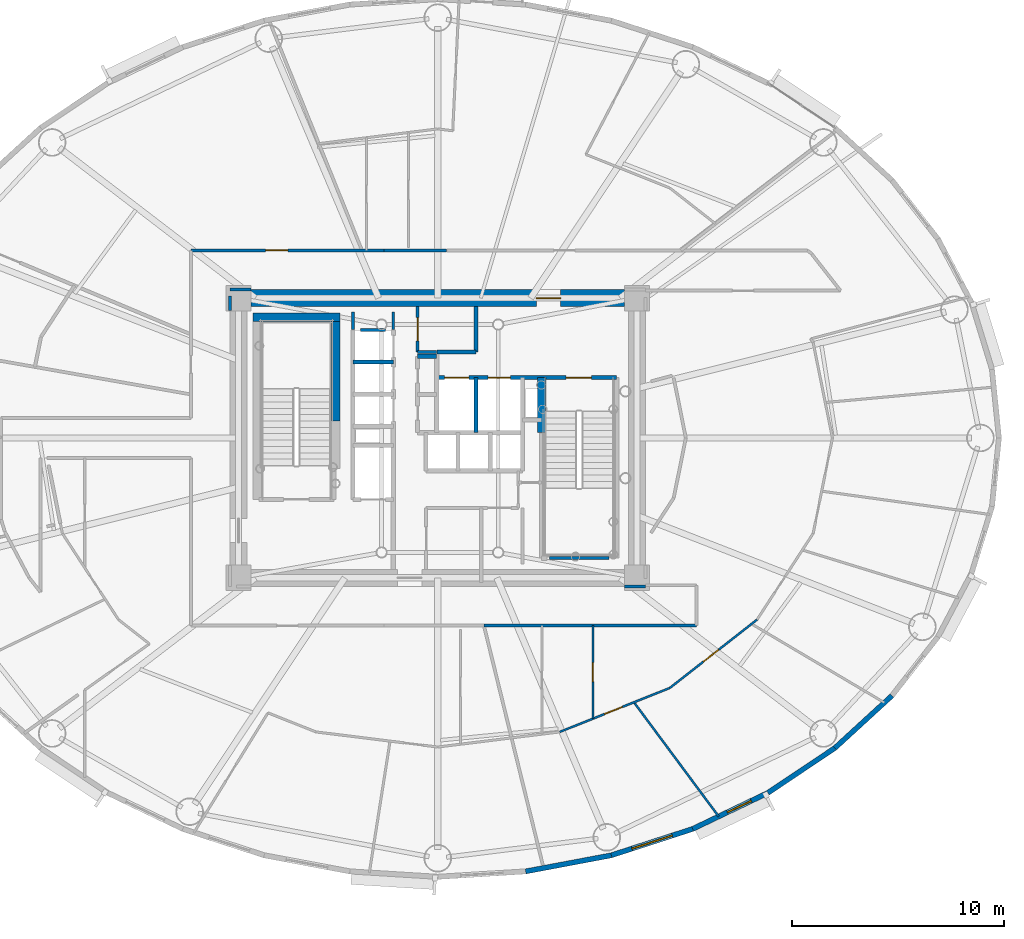
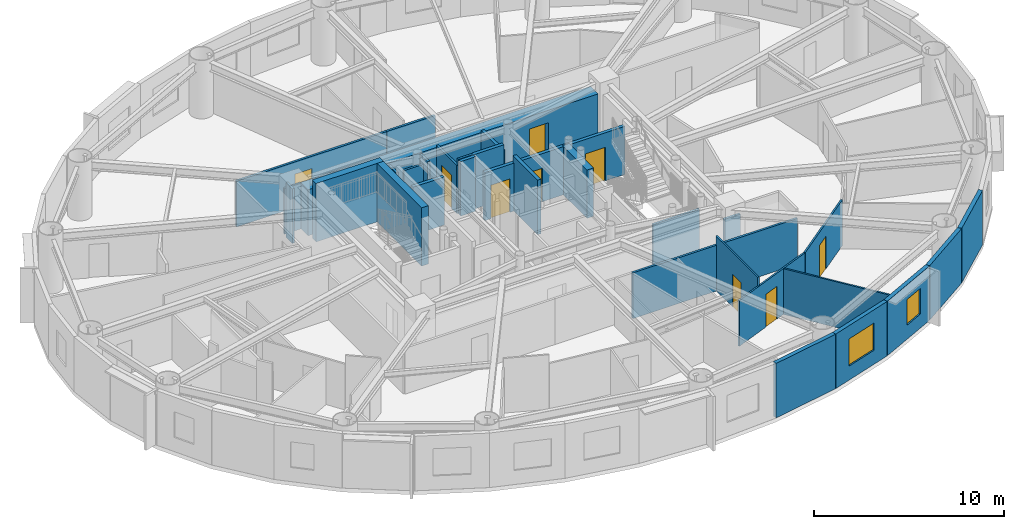
# One storey, part 9 of 18: 31 walls, 9 doors, 2 windows, 11 openings.
"""IFC4 building model written with IfcOpenShell, lengths in metres."""

from ifc_helpers import new_model, si_unit, direction, frame, frame_2d, origin, origin_2d, place, context, subcontext, project, spatial, rectangle, extrude, source, transform, mapped, material, layer, layer_set, type_object, element, fill, save


model = new_model("IFC4")

# Units and contexts
model_context = context("Model", 3, precision=1e-05, world=origin(), true_north=direction((0.0, 1.0)))
body_context = subcontext(model_context, "Body", "Model", "MODEL_VIEW")
ifc_project = project(units=[si_unit("LENGTHUNIT", "METRE"), si_unit("AREAUNIT", "SQUARE_METRE"), si_unit("VOLUMEUNIT", "CUBIC_METRE"), si_unit("PLANEANGLEUNIT", "RADIAN"), si_unit("MASSUNIT", "GRAM", prefix="KILO")], contexts=[model_context])

# Site, building, storey
site_placement = place(None, origin())
site = spatial("IfcSite", under=ifc_project, at=site_placement, CompositionType="ELEMENT")
building_placement = place(site_placement, origin())
building = spatial("IfcBuilding", under=site, at=building_placement, Name="Linh Dai School and Residence Tower", CompositionType="ELEMENT")
storey_placement = place(building_placement, frame((0.0, 0.0, 186.14990234375)))
storey = spatial("IfcBuildingStorey", under=building, at=storey_placement, Name="L45", CompositionType="ELEMENT", Elevation=186.14990234375)

# Wall
ifc_material_1 = material(Name="Precast Concrete B45 (C35/45)", Category="concrete")
ifc_layer_1 = layer(ifc_material_1, 0.239990234375)
ifc_layer_set_1 = layer_set([ifc_layer_1], Name="Precast Concrete B45 (C35/45)")
wall_type_1 = type_object("IfcWallType", Name="EW-TC-240", PredefinedType="SOLIDWALL", material=ifc_layer_set_1)
wall_1_placement = place(storey_placement, frame((44.18896484375, 7.310546875, 0.0), z_axis=(0.0, 0.0, 1.0), x_axis=(-0.982788108205, -0.184736391573, 0.0)))
element("IfcWall", 1, at=wall_1_placement, inside=storey, type_object=wall_type_1, Name="L45 Terracotta Exterior Wall 32", PredefinedType="SOLIDWALL", context=body_context, shape_type="SweptSolid", body=[
    extrude(rectangle(XDim=4.114013671875, YDim=0.239990234375, at=frame_2d((2.05712890625, 0.0))), origin(), (0.0, 0.0, 1.0), 3.5),
])

# Wall, opening, window
wall_2_placement = place(storey_placement, frame((48.02978515625, 8.556396484375, 0.0), z_axis=(0.0, 0.0, 1.0), x_axis=(-0.951209870236, -0.30854462038, 0.0)))
wall_2 = element("IfcWall", 2, at=wall_2_placement, inside=storey, type_object=wall_type_1, Name="L45 Terracotta Exterior Wall 33", PredefinedType="SOLIDWALL", context=body_context, shape_type="SweptSolid", body=[
    extrude(rectangle(XDim=4.037841796875, YDim=0.239990234375, at=frame_2d((2.01904296875, 0.0))), origin(), (0.0, 0.0, 1.0), 3.5),
])
opening_1_placement = place(wall_2_placement, frame((1.01904296875, 0.0, 0.89990234375)))
opening_1 = element("IfcOpeningElement", 3, at=opening_1_placement, cuts=wall_2, Name="Opening W1", PredefinedType="OPENING", context=body_context, shape_type="SweptSolid", body=[
    extrude(rectangle(XDim=2.0, YDim=1.75, at=origin_2d()), frame((1.0, 0.1298828125, 0.875), z_axis=(0.0, -1.0, 0.0), x_axis=(1.0, 0.0, 0.0)), (0.0, 0.0, 1.0), 0.260009765625),
])
ifc_material_2 = material(Name="Double Low-E Insulated Glazing", Category="glass")
window_type_1 = type_object("IfcWindowType", Name="WN-RES-2000x1750", PartitioningType="DOUBLE_PANEL_VERTICAL", PredefinedType="WINDOW", material=ifc_material_2)
shared_shape_1 = source(origin(), body_context, "Body", "SweptSolid", [
    extrude(rectangle(XDim=2.0, YDim=1.75, at=origin_2d()), frame((1.0, 0.030029296875, 0.875), z_axis=(0.0, -1.0, 0.0), x_axis=(1.0, 0.0, 0.0)), (0.0, 0.0, 1.0), 0.06005859375),
])
window_1_placement = place(opening_1_placement, origin())
window_1 = element("IfcWindow", 4, at=window_1_placement, inside=storey, type_object=window_type_1, Name="L45 Exterior Window 33.1", OverallHeight=1.75, OverallWidth=2.0, PartitioningType="DOUBLE_PANEL_VERTICAL", PredefinedType="WINDOW", context=body_context, shape_type="MappedRepresentation", body=[
    mapped(shared_shape_1, transform((0.0, 0.0, 0.0), x_axis=(1.0, 0.0, 0.0), y_axis=(0.0, 1.0, 0.0), z_axis=(0.0, 0.0, 1.0), scale=1.0)),
])
fill(opening_1, window_1)

wall_3_placement = place(storey_placement, frame((51.5732421875, 10.2568359375, 0.0), z_axis=(0.0, 0.0, 1.0), x_axis=(-0.901564733809, -0.432644231155, 0.0)))
wall_3 = element("IfcWall", 5, at=wall_3_placement, inside=storey, type_object=wall_type_1, Name="L45 Terracotta Exterior Wall 34", PredefinedType="SOLIDWALL", context=body_context, shape_type="SweptSolid", body=[
    extrude(rectangle(XDim=3.930419921875, YDim=0.239990234375, at=frame_2d((1.96533203125, 0.0))), origin(), (0.0, 0.0, 1.0), 3.5),
])
opening_2_placement = place(wall_3_placement, frame((0.8681640625, 0.0, 0.89990234375)))
opening_2 = element("IfcOpeningElement", 6, at=opening_2_placement, cuts=wall_3, Name="Opening W3", PredefinedType="OPENING", context=body_context, shape_type="SweptSolid", body=[
    extrude(rectangle(XDim=1.25, YDim=1.64990234375, at=origin_2d()), frame((0.625, 0.1298828125, 0.824951171875), z_axis=(0.0, -1.0, 0.0), x_axis=(1.0, 0.0, 0.0)), (0.0, 0.0, 1.0), 0.260009765625),
])
window_type_2 = type_object("IfcWindowType", Name="WN-RES-1250x1650", PartitioningType="SINGLE_PANEL", PredefinedType="WINDOW", material=ifc_material_2)
shared_shape_2 = source(origin(), body_context, "Body", "SweptSolid", [
    extrude(rectangle(XDim=1.25, YDim=1.64990234375, at=origin_2d()), frame((0.625, 0.030029296875, 0.824951171875), z_axis=(0.0, -1.0, 0.0), x_axis=(1.0, 0.0, 0.0)), (0.0, 0.0, 1.0), 0.06005859375),
])
window_2_placement = place(opening_2_placement, origin())
window_2 = element("IfcWindow", 7, at=window_2_placement, inside=storey, type_object=window_type_2, Name="L45 Exterior Window 34.1", OverallHeight=1.64990234375, OverallWidth=1.25, PartitioningType="SINGLE_PANEL", PredefinedType="WINDOW", context=body_context, shape_type="MappedRepresentation", body=[
    mapped(shared_shape_2, transform((0.0, 0.0, 0.0), x_axis=(1.0, 0.0, 0.0), y_axis=(0.0, 1.0, 0.0), z_axis=(0.0, 0.0, 1.0), scale=1.0)),
])
fill(opening_2, window_2)

# Walls
wall_4_placement = place(storey_placement, frame((54.73193359375, 12.369384765625, 0.0), z_axis=(0.0, 0.0, 1.0), x_axis=(-0.831228998277, -0.555930168657, 0.0)))
element("IfcWall", 8, at=wall_4_placement, inside=storey, type_object=wall_type_1, Name="L45 Terracotta Exterior Wall 35", PredefinedType="SOLIDWALL", context=body_context, shape_type="SweptSolid", body=[
    extrude(rectangle(XDim=3.800048828125, YDim=0.239990234375, at=frame_2d((1.89990234375, 0.0))), origin(), (0.0, 0.0, 1.0), 3.5),
])
wall_5_placement = place(storey_placement, frame((57.42822265625, 14.841552734375, 0.0), z_axis=(0.0, 0.0, 1.0), x_axis=(-0.737076565834, -0.675809245349, 0.0)))
element("IfcWall", 9, at=wall_5_placement, inside=storey, type_object=wall_type_1, Name="L45 Terracotta Exterior Wall 36", PredefinedType="SOLIDWALL", context=body_context, shape_type="SweptSolid", body=[
    extrude(rectangle(XDim=3.658203125, YDim=0.239990234375, at=frame_2d((1.8291015625, 0.0))), origin(), (0.0, 0.0, 1.0), 3.5),
])

# Wall, opening, door
ifc_material_3 = material(Name="Autoclaved Aerated Concrete Blockwork", Category="masonry")
ifc_layer_2 = layer(ifc_material_3, 0.135009765625)
ifc_layer_set_2 = layer_set([ifc_layer_2], Name="Autoclaved Aerated Concrete Blockwork")
wall_type_2 = type_object("IfcWallType", Name="IW-CORR-135-EI90", PredefinedType="PARTITIONING", material=ifc_layer_set_2)
wall_6_placement = place(storey_placement, frame((24.35009765625, 35.85009765625, 0.0), z_axis=(0.0, 0.0, 1.0), x_axis=(1.0, 0.0, 0.0)))
wall_6 = element("IfcWall", 10, at=wall_6_placement, inside=storey, type_object=wall_type_2, Name="L45 Interior Partition Wall 023", PredefinedType="PARTITIONING", context=body_context, shape_type="SweptSolid", body=[
    extrude(rectangle(XDim=9.108642578125, YDim=0.135009765625, at=frame_2d((4.55419921875, 0.0))), origin(), (0.0, 0.0, 1.0), 2.93505859375),
])
opening_3_placement = place(wall_6_placement, frame((3.5322265625, 0.0, 0.0)))
opening_3 = element("IfcOpeningElement", 11, at=opening_3_placement, cuts=wall_6, Name="Opening D04", PredefinedType="OPENING", context=body_context, shape_type="SweptSolid", body=[
    extrude(rectangle(XDim=1.050048828125, YDim=2.14990234375, at=origin_2d()), frame((0.52490234375, 0.07763671875, 1.074951171875), z_axis=(0.0, -1.0, 0.0), x_axis=(1.0, 0.0, 0.0)), (0.0, 0.0, 1.0), 0.155029296875),
])
ifc_material_4 = material(Name="Acoustic Vision-Panel Timber Classroom Door", Category="wood")
door_type_1 = type_object("IfcDoorType", Name="DR-SCH-1050x2150-FD60S", OperationType="NOTDEFINED", PredefinedType="DOOR", material=ifc_material_4)
shared_shape_3 = source(origin(), body_context, "Body", "SweptSolid", [
    extrude(rectangle(XDim=1.050048828125, YDim=2.14990234375, at=origin_2d()), frame((0.52490234375, 0.02490234375, 1.074951171875), z_axis=(0.0, -1.0, 0.0), x_axis=(1.0, 0.0, 0.0)), (0.0, 0.0, 1.0), 0.050048828125),
])
door_1_placement = place(opening_3_placement, origin())
door_1 = element("IfcDoor", 12, at=door_1_placement, inside=storey, type_object=door_type_1, Name="L45 Executive Business Boardroom Door", OperationType="SINGLE_SWING_LEFT", OverallHeight=2.14990234375, OverallWidth=1.050048828125, PredefinedType="DOOR", context=body_context, shape_type="MappedRepresentation", body=[
    mapped(shared_shape_3, transform((0.0, 0.0, 0.0), x_axis=(1.0, 0.0, 0.0), y_axis=(0.0, 1.0, 0.0), z_axis=(0.0, 0.0, 1.0), scale=1.0)),
])
fill(opening_3, door_1)

wall_7_placement = place(storey_placement, frame((35.050048828125, 31.050048828125, 0.0), z_axis=(0.0, 0.0, 1.0), x_axis=(0.0, 1.0, 0.0)))
wall_7 = element("IfcWall", 13, at=wall_7_placement, inside=storey, type_object=wall_type_2, Name="L45 Interior Partition Wall 045", PredefinedType="PARTITIONING", context=body_context, shape_type="SweptSolid", body=[
    extrude(rectangle(XDim=2.14990234375, YDim=0.135009765625, at=frame_2d((1.074951171875, 0.0))), origin(), (0.0, 0.0, 1.0), 3.085205078125),
])
opening_4_placement = place(wall_7_placement, frame((0.52490234375, 0.0, 0.0)))
opening_4 = element("IfcOpeningElement", 14, at=opening_4_placement, cuts=wall_7, Name="Opening D07", PredefinedType="OPENING", context=body_context, shape_type="SweptSolid", body=[
    extrude(rectangle(XDim=1.10009765625, YDim=2.14990234375, at=origin_2d()), frame((0.550048828125, 0.07763671875, 1.074951171875), z_axis=(0.0, -1.0, 0.0), x_axis=(1.0, 0.0, 0.0)), (0.0, 0.0, 1.0), 0.155029296875),
])
ifc_material_5 = material(Name="Fire-Rated Louvred Steel Plant Door", Category="steel")
door_type_2 = type_object("IfcDoorType", Name="DR-PLT-1100x2150-FD60S", OperationType="NOTDEFINED", PredefinedType="DOOR", material=ifc_material_5)
shared_shape_4 = source(origin(), body_context, "Body", "SweptSolid", [
    extrude(rectangle(XDim=1.10009765625, YDim=2.14990234375, at=origin_2d()), frame((0.550048828125, 0.02490234375, 1.074951171875), z_axis=(0.0, -1.0, 0.0), x_axis=(1.0, 0.0, 0.0)), (0.0, 0.0, 1.0), 0.050048828125),
])
door_2_placement = place(opening_4_placement, origin())
door_2 = element("IfcDoor", 15, at=door_2_placement, inside=storey, type_object=door_type_2, Name="L45 North Telecom Switchroom Door", OperationType="SINGLE_SWING_RIGHT", OverallHeight=2.14990234375, OverallWidth=1.10009765625, PredefinedType="DOOR", context=body_context, shape_type="MappedRepresentation", body=[
    mapped(shared_shape_4, transform((0.0, 0.0, 0.0), x_axis=(1.0, 0.0, 0.0), y_axis=(0.0, 1.0, 0.0), z_axis=(0.0, 0.0, 1.0), scale=1.0)),
])
fill(opening_4, door_2)

# Walls
wall_8_placement = place(storey_placement, frame((35.050048828125, 31.050048828125, 0.0), z_axis=(0.0, 0.0, 1.0), x_axis=(1.0, 0.0, 0.0)))
element("IfcWall", 16, at=wall_8_placement, inside=storey, type_object=wall_type_2, Name="L45 Interior Partition Wall 046", PredefinedType="PARTITIONING", context=body_context, shape_type="SweptSolid", body=[
    extrude(rectangle(XDim=0.89990234375, YDim=0.135009765625, at=frame_2d((0.449951171875, 0.0))), origin(), (0.0, 0.0, 1.0), 3.5),
])
wall_9_placement = place(storey_placement, frame((38.187744140625, 18.14990234375, 0.0), z_axis=(0.0, 0.0, 1.0), x_axis=(1.0, 0.0, 0.0)))
element("IfcWall", 17, at=wall_9_placement, inside=storey, type_object=wall_type_2, Name="L45 Interior Partition Wall 064", PredefinedType="PARTITIONING", context=body_context, shape_type="SweptSolid", body=[
    extrude(rectangle(XDim=10.01220703125, YDim=0.135009765625, at=frame_2d((5.006103515625, 0.0))), origin(), (0.0, 0.0, 1.0), 2.93505859375),
])
wall_10_placement = place(storey_placement, frame((44.080078125, 21.330078125, 0.0), z_axis=(0.0, 0.0, 1.0), x_axis=(-1.0, 0.0, 0.0)))
element("IfcWall", 18, at=wall_10_placement, inside=storey, type_object=wall_type_2, Name="L45 Interior Partition Wall 096", PredefinedType="PARTITIONING", context=body_context, shape_type="SweptSolid", body=[
    extrude(rectangle(XDim=2.820068359375, YDim=0.135009765625, at=frame_2d((1.41015625, 0.0))), origin(), (0.0, 0.0, 1.0), 3.03515625),
])
wall_11_placement = place(storey_placement, frame((32.360107421875, 32.10009765625, 0.0), z_axis=(0.0, 0.0, 1.0), x_axis=(1.0, 0.0, 0.0)))
element("IfcWall", 19, at=wall_11_placement, inside=storey, type_object=wall_type_2, Name="L45 Interior Partition Wall 097", PredefinedType="PARTITIONING", context=body_context, shape_type="SweptSolid", body=[
    extrude(rectangle(XDim=1.179931640625, YDim=0.135009765625, at=frame_2d((0.58984375, 0.0))), origin(), (0.0, 0.0, 1.0), 3.085205078125),
])
wall_12_placement = place(storey_placement, frame((32.0, 32.93994140625, 0.0), z_axis=(0.0, 0.0, 1.0), x_axis=(0.0, -1.0, 0.0)))
element("IfcWall", 20, at=wall_12_placement, inside=storey, type_object=wall_type_2, Name="L45 Interior Partition Wall 099", PredefinedType="PARTITIONING", context=body_context, shape_type="SweptSolid", body=[
    extrude(rectangle(XDim=0.829833984375, YDim=0.135009765625, at=frame_2d((0.4150390625, 0.0))), origin(), (0.0, 0.0, 1.0), 3.03515625),
])
wall_13_placement = place(storey_placement, frame((33.89990234375, 32.110107421875, 0.0), z_axis=(0.0, 0.0, 1.0), x_axis=(0.0, 1.0, 0.0)))
element("IfcWall", 21, at=wall_13_placement, inside=storey, type_object=wall_type_2, Name="L45 Interior Partition Wall 100", PredefinedType="PARTITIONING", context=body_context, shape_type="SweptSolid", body=[
    extrude(rectangle(XDim=0.829833984375, YDim=0.135009765625, at=frame_2d((0.4150390625, 0.0))), origin(), (0.0, 0.0, 1.0), 3.085205078125),
])
wall_14_placement = place(storey_placement, frame((33.46875, 35.85009765625, 0.0), z_axis=(0.0, 0.0, 1.0), x_axis=(1.0, 0.0, 0.0)))
element("IfcWall", 22, at=wall_14_placement, inside=storey, type_object=wall_type_2, Name="L45 Interior Partition Wall 102", PredefinedType="PARTITIONING", context=body_context, shape_type="SweptSolid", body=[
    extrude(rectangle(XDim=2.9521484375, YDim=0.135009765625, at=frame_2d((1.47607421875, 0.0))), origin(), (0.0, 0.0, 1.0), 2.93505859375),
])
wall_15_placement = place(storey_placement, frame((27.18994140625, 34.0, 0.0), z_axis=(0.0, 0.0, 1.0), x_axis=(-1.0, 0.0, 0.0)))
element("IfcWall", 23, at=wall_15_placement, inside=storey, type_object=wall_type_2, Name="L45 Interior Partition Wall 104", PredefinedType="PARTITIONING", context=body_context, shape_type="SweptSolid", body=[
    extrude(rectangle(XDim=0.989990234375, YDim=0.135009765625, at=frame_2d((0.4951171875, 0.0))), origin(), (0.0, 0.0, 1.0), 2.93505859375),
])
wall_16_placement = place(storey_placement, frame((26.199951171875, 33.6923828125, 0.0), z_axis=(0.0, 0.0, 1.0), x_axis=(0.0, -1.0, 0.0)))
element("IfcWall", 24, at=wall_16_placement, inside=storey, type_object=wall_type_2, Name="L45 Interior Partition Wall 105", PredefinedType="PARTITIONING", context=body_context, shape_type="SweptSolid", body=[
    extrude(rectangle(XDim=0.682373046875, YDim=0.135009765625, at=frame_2d((0.34130859375, 0.0))), origin(), (0.0, 0.0, 1.0), 3.5),
])
wall_17_placement = place(storey_placement, frame((44.81005859375, 20.0, 0.0), z_axis=(0.0, 0.0, 1.0), x_axis=(1.0, 0.0, 0.0)))
element("IfcWall", 25, at=wall_17_placement, inside=storey, type_object=wall_type_2, Name="L45 Interior Partition Wall 108", PredefinedType="PARTITIONING", context=body_context, shape_type="SweptSolid", body=[
    extrude(rectangle(XDim=0.97998046875, YDim=0.135009765625, at=frame_2d((0.489990234375, 0.0))), origin(), (0.0, 0.0, 1.0), 2.93505859375),
])
ifc_material_6 = material(Name="Concrete B45 (C35/45)", Category="concrete")
ifc_layer_3 = layer(ifc_material_6, 0.199951171875)
ifc_layer_set_3 = layer_set([ifc_layer_3], Name="Concrete B45 (C35/45)")
wall_type_3 = type_object("IfcWallType", Name="IW-SHAFT-200-EI120", PredefinedType="PARTITIONING", material=ifc_layer_set_3)
wall_18_placement = place(storey_placement, frame((32.0, 30.580078125, 0.0), z_axis=(0.0, 0.0, 1.0), x_axis=(1.0, 0.0, 0.0)))
element("IfcWall", 26, at=wall_18_placement, inside=storey, type_object=wall_type_3, Name="L45 Interior Partition Wall 036", PredefinedType="PARTITIONING", context=body_context, shape_type="SweptSolid", body=[
    extrude(rectangle(XDim=1.89990234375, YDim=0.199951171875, at=frame_2d((0.949951171875, 0.0))), origin(), (0.0, 0.0, 1.0), 3.085205078125),
])
wall_19_placement = place(storey_placement, frame((35.050048828125, 30.85009765625, 0.0), z_axis=(0.0, 0.0, 1.0), x_axis=(1.0, 0.0, 0.0)))
element("IfcWall", 27, at=wall_19_placement, inside=storey, type_object=wall_type_3, Name="L45 Interior Partition Wall 044", PredefinedType="PARTITIONING", context=body_context, shape_type="SweptSolid", body=[
    extrude(rectangle(XDim=0.89990234375, YDim=0.199951171875, at=frame_2d((0.449951171875, 0.0))), origin(), (0.0, 0.0, 1.0), 3.5),
])

# Wall, openings, doors
wall_20_placement = place(storey_placement, frame((35.949951171875, 29.85009765625, 0.0), z_axis=(0.0, 0.0, 1.0), x_axis=(1.0, 0.0, 0.0)))
wall_20 = element("IfcWall", 28, at=wall_20_placement, inside=storey, type_object=wall_type_3, Name="L45 Interior Partition Wall 052", PredefinedType="PARTITIONING", context=body_context, shape_type="SweptSolid", body=[
    extrude(rectangle(XDim=8.489990234375, YDim=0.199951171875, at=frame_2d((4.2451171875, 0.0))), origin(), (0.0, 0.0, 1.0), 3.085205078125),
])
opening_5_placement = place(wall_20_placement, frame((6.10009765625, 0.0, 0.0)))
opening_5 = element("IfcOpeningElement", 29, at=opening_5_placement, cuts=wall_20, Name="Opening D01", PredefinedType="OPENING", context=body_context, shape_type="SweptSolid", body=[
    extrude(rectangle(XDim=1.199951171875, YDim=2.14990234375, at=origin_2d()), frame((0.60009765625, 0.10986328125, 1.074951171875), z_axis=(0.0, -1.0, 0.0), x_axis=(1.0, 0.0, 0.0)), (0.0, 0.0, 1.0), 0.219970703125),
])
opening_6_placement = place(wall_20_placement, frame((0.3701171875, 0.0, 0.0)))
opening_6 = element("IfcOpeningElement", 30, at=opening_6_placement, cuts=wall_20, Name="Opening LD-FF1", PredefinedType="OPENING", context=body_context, shape_type="SweptSolid", body=[
    extrude(rectangle(XDim=1.14990234375, YDim=2.14990234375, at=origin_2d()), frame((0.574951171875, 0.10986328125, 1.074951171875), z_axis=(0.0, -1.0, 0.0), x_axis=(1.0, 0.0, 0.0)), (0.0, 0.0, 1.0), 0.219970703125),
])
opening_7_placement = place(wall_20_placement, frame((2.425048828125, 0.0, 0.0)))
opening_7 = element("IfcOpeningElement", 31, at=opening_7_placement, cuts=wall_20, Name="Opening LD-SV1", PredefinedType="OPENING", context=body_context, shape_type="SweptSolid", body=[
    extrude(rectangle(XDim=1.050048828125, YDim=2.14990234375, at=origin_2d()), frame((0.52490234375, 0.10986328125, 1.074951171875), z_axis=(0.0, -1.0, 0.0), x_axis=(1.0, 0.0, 0.0)), (0.0, 0.0, 1.0), 0.219970703125),
])
ifc_material_7 = material(Name="Fire-Rated Steel Door Leaf", Category="steel")
door_type_3 = type_object("IfcDoorType", Name="DR-STAIR-1200x2150-FD90S", OperationType="NOTDEFINED", PredefinedType="DOOR", material=ifc_material_7)
shared_shape_5 = source(origin(), body_context, "Body", "SweptSolid", [
    extrude(rectangle(XDim=1.199951171875, YDim=2.14990234375, at=origin_2d()), frame((0.60009765625, 0.02490234375, 1.074951171875), z_axis=(0.0, -1.0, 0.0), x_axis=(1.0, 0.0, 0.0)), (0.0, 0.0, 1.0), 0.050048828125),
])
door_3_placement = place(opening_5_placement, origin())
door_3 = element("IfcDoor", 32, at=door_3_placement, inside=storey, type_object=door_type_3, Name="L45 Core Smokeproof Exit Stair ST2 Door", OperationType="SINGLE_SWING_RIGHT", OverallHeight=2.14990234375, OverallWidth=1.199951171875, PredefinedType="DOOR", context=body_context, shape_type="MappedRepresentation", body=[
    mapped(shared_shape_5, transform((0.0, 0.0, 0.0), x_axis=(1.0, 0.0, 0.0), y_axis=(0.0, 1.0, 0.0), z_axis=(0.0, 0.0, 1.0), scale=1.0)),
])
fill(opening_5, door_3)
ifc_material_8 = material(Name="Fire-Rated Stainless Steel Firefighting Lift Door", Category="steel")
door_type_4 = type_object("IfcDoorType", Name="DR-LD-FF-1150x2150-FD120", OperationType="DOUBLE_DOOR_SLIDING", PredefinedType="USERDEFINED", material=ifc_material_8)
shared_shape_6 = source(origin(), body_context, "Body", "SweptSolid", [
    extrude(rectangle(XDim=1.14990234375, YDim=2.14990234375, at=origin_2d()), frame((0.574951171875, 0.02490234375, 1.074951171875), z_axis=(0.0, -1.0, 0.0), x_axis=(1.0, 0.0, 0.0)), (0.0, 0.0, 1.0), 0.050048828125),
])
door_4_placement = place(opening_6_placement, origin())
door_4 = element("IfcDoor", 33, at=door_4_placement, inside=storey, type_object=door_type_4, Name="L45 Lift FF1 Sliding Landing Door", ObjectType="LANDING DOOR", OperationType="DOUBLE_DOOR_SLIDING", OverallHeight=2.14990234375, OverallWidth=1.14990234375, PredefinedType="USERDEFINED", context=body_context, shape_type="MappedRepresentation", body=[
    mapped(shared_shape_6, transform((0.0, 0.0, 0.0), x_axis=(1.0, 0.0, 0.0), y_axis=(0.0, 1.0, 0.0), z_axis=(0.0, 0.0, 1.0), scale=1.0)),
])
fill(opening_6, door_4)
ifc_material_9 = material(Name="Brushed Stainless Steel Lift Landing Door", Category="steel")
door_type_5 = type_object("IfcDoorType", Name="DR-LD-PASS-1050x2150", OperationType="DOUBLE_DOOR_SLIDING", PredefinedType="USERDEFINED", material=ifc_material_9)
shared_shape_7 = source(origin(), body_context, "Body", "SweptSolid", [
    extrude(rectangle(XDim=1.050048828125, YDim=2.14990234375, at=origin_2d()), frame((0.52490234375, 0.02490234375, 1.074951171875), z_axis=(0.0, -1.0, 0.0), x_axis=(1.0, 0.0, 0.0)), (0.0, 0.0, 1.0), 0.050048828125),
])
door_5_placement = place(opening_7_placement, origin())
door_5 = element("IfcDoor", 34, at=door_5_placement, inside=storey, type_object=door_type_5, Name="L45 Lift SV1 Sliding Landing Door", ObjectType="LANDING DOOR", OperationType="DOUBLE_DOOR_SLIDING", OverallHeight=2.14990234375, OverallWidth=1.050048828125, PredefinedType="USERDEFINED", context=body_context, shape_type="MappedRepresentation", body=[
    mapped(shared_shape_7, transform((0.0, 0.0, 0.0), x_axis=(1.0, 0.0, 0.0), y_axis=(0.0, 1.0, 0.0), z_axis=(0.0, 0.0, 1.0), scale=1.0)),
])
fill(opening_7, door_5)

# Walls
wall_21_placement = place(storey_placement, frame((35.9599609375, 31.050048828125, 0.0), z_axis=(0.0, 0.0, 1.0), x_axis=(1.0, 0.0, 0.0)))
element("IfcWall", 35, at=wall_21_placement, inside=storey, type_object=wall_type_3, Name="L45 Interior Partition Wall 053", PredefinedType="PARTITIONING", context=body_context, shape_type="SweptSolid", body=[
    extrude(rectangle(XDim=1.840087890625, YDim=0.199951171875, at=frame_2d((0.919921875, 0.0))), origin(), (0.0, 0.0, 1.0), 3.5),
])
wall_22_placement = place(storey_placement, frame((37.800048828125, 27.25, 0.0), z_axis=(0.0, 0.0, 1.0), x_axis=(0.0, 1.0, 0.0)))
element("IfcWall", 36, at=wall_22_placement, inside=storey, type_object=wall_type_3, Name="L45 Interior Partition Wall 060", PredefinedType="PARTITIONING", context=body_context, shape_type="SweptSolid", body=[
    extrude(rectangle(XDim=2.60009765625, YDim=0.199951171875, at=frame_2d((1.300048828125, 0.0))), origin(), (0.0, 0.0, 1.0), 3.5),
])
wall_23_placement = place(storey_placement, frame((37.800048828125, 31.050048828125, 0.0), z_axis=(0.0, 0.0, 1.0), x_axis=(0.0, 1.0, 0.0)))
element("IfcWall", 37, at=wall_23_placement, inside=storey, type_object=wall_type_3, Name="L45 Interior Partition Wall 061", PredefinedType="PARTITIONING", context=body_context, shape_type="SweptSolid", body=[
    extrude(rectangle(XDim=2.14990234375, YDim=0.199951171875, at=frame_2d((1.074951171875, 0.0))), origin(), (0.0, 0.0, 1.0), 3.085205078125),
])

# Wall, opening, door
ifc_material_10 = material(Name="Gypsum Plasterboard Acoustic Stud Partition", Category="masonry")
ifc_layer_4 = layer(ifc_material_10, 0.10009765625)
ifc_layer_set_4 = layer_set([ifc_layer_4], Name="Gypsum Plasterboard Acoustic Stud Partition")
wall_type_4 = type_object("IfcWallType", Name="IW-UNIT-100", PredefinedType="PARTITIONING", material=ifc_layer_set_4)
wall_24_placement = place(storey_placement, frame((41.75390625, 13.132568359375, 0.0), z_axis=(0.0, 0.0, 1.0), x_axis=(0.928798710424, 0.370584613166, 0.0)))
wall_24 = element("IfcWall", 38, at=wall_24_placement, inside=storey, type_object=wall_type_4, Name="L45 Interior Partition Wall 073", PredefinedType="PARTITIONING", context=body_context, shape_type="SweptSolid", body=[
    extrude(rectangle(XDim=5.588623046875, YDim=0.10009765625, at=frame_2d((2.79443359375, 0.0))), origin(), (0.0, 0.0, 1.0), 2.93505859375),
])
opening_8_placement = place(wall_24_placement, frame((2.27587890625, 0.0, 0.0)))
opening_8 = element("IfcOpeningElement", 39, at=opening_8_placement, cuts=wall_24, Name="Opening D05", PredefinedType="OPENING", context=body_context, shape_type="SweptSolid", body=[
    extrude(rectangle(XDim=0.89990234375, YDim=2.10009765625, at=origin_2d()), frame((0.449951171875, 0.06005859375, 1.050048828125), z_axis=(0.0, -1.0, 0.0), x_axis=(1.0, 0.0, 0.0)), (0.0, 0.0, 1.0), 0.1201171875),
])
ifc_material_11 = material(Name="Engineered Timber Internal Door", Category="wood")
door_type_6 = type_object("IfcDoorType", Name="DR-INT-900x2100", OperationType="NOTDEFINED", PredefinedType="DOOR", material=ifc_material_11)
shared_shape_8 = source(origin(), body_context, "Body", "SweptSolid", [
    extrude(rectangle(XDim=0.89990234375, YDim=2.10009765625, at=origin_2d()), frame((0.449951171875, 0.02490234375, 1.050048828125), z_axis=(0.0, -1.0, 0.0), x_axis=(1.0, 0.0, 0.0)), (0.0, 0.0, 1.0), 0.050048828125),
])
door_6_placement = place(opening_8_placement, origin())
door_6 = element("IfcDoor", 40, at=door_6_placement, inside=storey, type_object=door_type_6, Name="L45 Apartment U4502 Principal Bedroom 1 Door", OperationType="SINGLE_SWING_LEFT", OverallHeight=2.10009765625, OverallWidth=0.89990234375, PredefinedType="DOOR", context=body_context, shape_type="MappedRepresentation", body=[
    mapped(shared_shape_8, transform((0.0, 0.0, 0.0), x_axis=(1.0, 0.0, 0.0), y_axis=(0.0, 1.0, 0.0), z_axis=(0.0, 0.0, 1.0), scale=1.0)),
])
fill(opening_8, door_6)

wall_25_placement = place(storey_placement, frame((43.316162109375, 13.755859375, 0.0), z_axis=(0.0, 0.0, 1.0), x_axis=(0.0, 1.0, 0.0)))
wall_25 = element("IfcWall", 41, at=wall_25_placement, inside=storey, type_object=wall_type_4, Name="L45 Interior Partition Wall 076", PredefinedType="PARTITIONING", context=body_context, shape_type="SweptSolid", body=[
    extrude(rectangle(XDim=4.39404296875, YDim=0.10009765625, at=frame_2d((2.197021484375, 0.0))), origin(), (0.0, 0.0, 1.0), 3.5),
])
opening_9_placement = place(wall_25_placement, frame((1.7470703125, 0.0, 0.0)))
opening_9 = element("IfcOpeningElement", 42, at=opening_9_placement, cuts=wall_25, Name="Opening D05", PredefinedType="OPENING", context=body_context, shape_type="SweptSolid", body=[
    extrude(rectangle(XDim=0.89990234375, YDim=2.10009765625, at=origin_2d()), frame((0.449951171875, 0.06005859375, 1.050048828125), z_axis=(0.0, -1.0, 0.0), x_axis=(1.0, 0.0, 0.0)), (0.0, 0.0, 1.0), 0.1201171875),
])
door_7_placement = place(opening_9_placement, origin())
door_7 = element("IfcDoor", 43, at=door_7_placement, inside=storey, type_object=door_type_6, Name="L45 Apartment U4502 Kitchen Door", OperationType="SINGLE_SWING_LEFT", OverallHeight=2.10009765625, OverallWidth=0.89990234375, PredefinedType="DOOR", context=body_context, shape_type="MappedRepresentation", body=[
    mapped(shared_shape_8, transform((0.0, 0.0, 0.0), x_axis=(1.0, 0.0, 0.0), y_axis=(0.0, 1.0, 0.0), z_axis=(0.0, 0.0, 1.0), scale=1.0)),
])
fill(opening_9, door_7)

# Wall
wall_26_placement = place(storey_placement, frame((45.25537109375, 14.52978515625, 0.0), z_axis=(0.0, 0.0, 1.0), x_axis=(0.595983117275, -0.802996963832, 0.0)))
element("IfcWall", 44, at=wall_26_placement, inside=storey, type_object=wall_type_4, Name="L45 Interior Partition Wall 078", PredefinedType="PARTITIONING", context=body_context, shape_type="SweptSolid", body=[
    extrude(rectangle(XDim=6.712890625, YDim=0.10009765625, at=frame_2d((3.3564453125, 0.0))), origin(), (0.0, 0.0, 1.0), 2.93505859375),
])

# Wall, opening, door
wall_27_placement = place(storey_placement, frame((46.944580078125, 15.20361328125, 0.0), z_axis=(0.0, 0.0, 1.0), x_axis=(0.787322805473, 0.61654099619, 0.0)))
wall_27 = element("IfcWall", 45, at=wall_27_placement, inside=storey, type_object=wall_type_4, Name="L45 Interior Partition Wall 081", PredefinedType="PARTITIONING", context=body_context, shape_type="SweptSolid", body=[
    extrude(rectangle(XDim=5.232177734375, YDim=0.10009765625, at=frame_2d((2.6162109375, 0.0))), origin(), (0.0, 0.0, 1.0), 2.93505859375),
])
opening_10_placement = place(wall_27_placement, frame((2.021240234375, 0.0, 0.0)))
opening_10 = element("IfcOpeningElement", 46, at=opening_10_placement, cuts=wall_27, Name="Opening D05", PredefinedType="OPENING", context=body_context, shape_type="SweptSolid", body=[
    extrude(rectangle(XDim=0.89990234375, YDim=2.10009765625, at=origin_2d()), frame((0.449951171875, 0.06005859375, 1.050048828125), z_axis=(0.0, -1.0, 0.0), x_axis=(1.0, 0.0, 0.0)), (0.0, 0.0, 1.0), 0.1201171875),
])
door_8_placement = place(opening_10_placement, origin())
door_8 = element("IfcDoor", 47, at=door_8_placement, inside=storey, type_object=door_type_6, Name="L45 Apartment U4502 Principal Bedroom 2 Door", OperationType="SINGLE_SWING_RIGHT", OverallHeight=2.10009765625, OverallWidth=0.89990234375, PredefinedType="DOOR", context=body_context, shape_type="MappedRepresentation", body=[
    mapped(shared_shape_8, transform((0.0, 0.0, 0.0), x_axis=(1.0, 0.0, 0.0), y_axis=(0.0, 1.0, 0.0), z_axis=(0.0, 0.0, 1.0), scale=1.0)),
])
fill(opening_10, door_8)

# Walls
ifc_layer_5 = layer(ifc_material_6, 0.39990234375)
ifc_layer_set_5 = layer_set([ifc_layer_5], Name="Concrete B45 (C35/45)")
wall_type_5 = type_object("IfcWallType", Name="WL-CORE400", PredefinedType="SHEAR", material=ifc_layer_set_5)
wall_28_placement = place(storey_placement, frame((31.179931640625, 27.800048828125, 0.0), z_axis=(0.0, 0.0, 1.0), x_axis=(0.0, 1.0, 0.0)))
element("IfcWall", 48, at=wall_28_placement, inside=storey, type_object=wall_type_5, Name="L45 Core Stair ST1 Bearing Wall E", PredefinedType="SHEAR", context=body_context, shape_type="SweptSolid", body=[
    extrude(rectangle(XDim=4.89990234375, YDim=0.39990234375, at=frame_2d((2.449951171875, 0.0))), origin(), (0.0, 0.0, 1.0), 3.75),
])
wall_29_placement = place(storey_placement, frame((27.280029296875, 32.699951171875, 0.0), z_axis=(0.0, 0.0, 1.0), x_axis=(1.0, 0.0, 0.0)))
element("IfcWall", 49, at=wall_29_placement, inside=storey, type_object=wall_type_5, Name="L45 Core Stair ST1 Bearing Wall N", PredefinedType="SHEAR", context=body_context, shape_type="SweptSolid", body=[
    extrude(rectangle(XDim=4.099853515625, YDim=0.39990234375, at=frame_2d((2.0498046875, 0.0))), origin(), (0.0, 0.0, 1.0), 3.75),
])
wall_30_placement = place(storey_placement, frame((40.89990234375, 27.25, 0.0), z_axis=(0.0, 0.0, 1.0), x_axis=(0.0, 1.0, 0.0)))
element("IfcWall", 50, at=wall_30_placement, inside=storey, type_object=wall_type_5, Name="L45 Internal Core Shear Wall IE", PredefinedType="SHEAR", context=body_context, shape_type="SweptSolid", body=[
    extrude(rectangle(XDim=2.60009765625, YDim=0.39990234375, at=frame_2d((1.300048828125, 0.0))), origin(), (0.0, 0.0, 1.0), 3.10009765625),
])

# Wall, opening, door
ifc_material_12 = material(Name="Concrete B60 (C50/60)", Category="concrete")
ifc_layer_6 = layer(ifc_material_12, 0.800048828125)
ifc_layer_set_6 = layer_set([ifc_layer_6], Name="Concrete B60 (C50/60)")
wall_type_6 = type_object("IfcWallType", Name="WL-CORE800", PredefinedType="SHEAR", material=ifc_layer_set_6)
wall_31_placement = place(storey_placement, frame((27.199951171875, 33.60009765625, 0.0), z_axis=(0.0, 0.0, 1.0), x_axis=(1.0, 0.0, 0.0)))
wall_31 = element("IfcWall", 51, at=wall_31_placement, inside=storey, type_object=wall_type_6, Name="L45 Central Core Shear Wall N", PredefinedType="SHEAR", context=body_context, shape_type="SweptSolid", body=[
    extrude(rectangle(XDim=17.60009765625, YDim=0.800048828125, at=frame_2d((8.800048828125, 0.0))), origin(), (0.0, 0.0, 1.0), 2.9501953125),
])
opening_11_placement = place(wall_31_placement, frame((13.449951171875, 0.0, 0.0)))
opening_11 = element("IfcOpeningElement", 52, at=opening_11_placement, cuts=wall_31, Name="Opening D02", PredefinedType="OPENING", context=body_context, shape_type="SweptSolid", body=[
    extrude(rectangle(XDim=1.14990234375, YDim=2.14990234375, at=origin_2d()), frame((0.574951171875, 0.41015625, 1.074951171875), z_axis=(0.0, -1.0, 0.0), x_axis=(1.0, 0.0, 0.0)), (0.0, 0.0, 1.0), 0.820068359375),
])
ifc_material_13 = material(Name="Fire-Rated Glazed Steel Lobby Door", Category="steel")
door_type_7 = type_object("IfcDoorType", Name="DR-LOBBY-1150x2150-FD90S", OperationType="NOTDEFINED", PredefinedType="DOOR", material=ifc_material_13)
shared_shape_9 = source(origin(), body_context, "Body", "SweptSolid", [
    extrude(rectangle(XDim=1.14990234375, YDim=2.14990234375, at=origin_2d()), frame((0.574951171875, 0.02490234375, 1.074951171875), z_axis=(0.0, -1.0, 0.0), x_axis=(1.0, 0.0, 0.0)), (0.0, 0.0, 1.0), 0.050048828125),
])
door_9_placement = place(opening_11_placement, origin())
door_9 = element("IfcDoor", 53, at=door_9_placement, inside=storey, type_object=door_type_7, Name="L45 Firefighting Lobby Door", OperationType="SINGLE_SWING_LEFT", OverallHeight=2.14990234375, OverallWidth=1.14990234375, PredefinedType="DOOR", context=body_context, shape_type="MappedRepresentation", body=[
    mapped(shared_shape_9, transform((0.0, 0.0, 0.0), x_axis=(1.0, 0.0, 0.0), y_axis=(0.0, 1.0, 0.0), z_axis=(0.0, 0.0, 1.0), scale=1.0)),
])
fill(opening_11, door_9)

save(model, "model.ifc")
